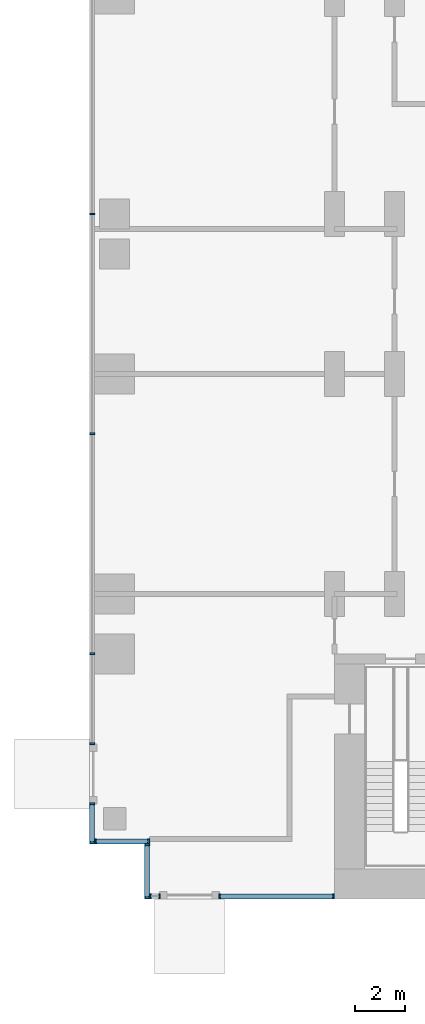
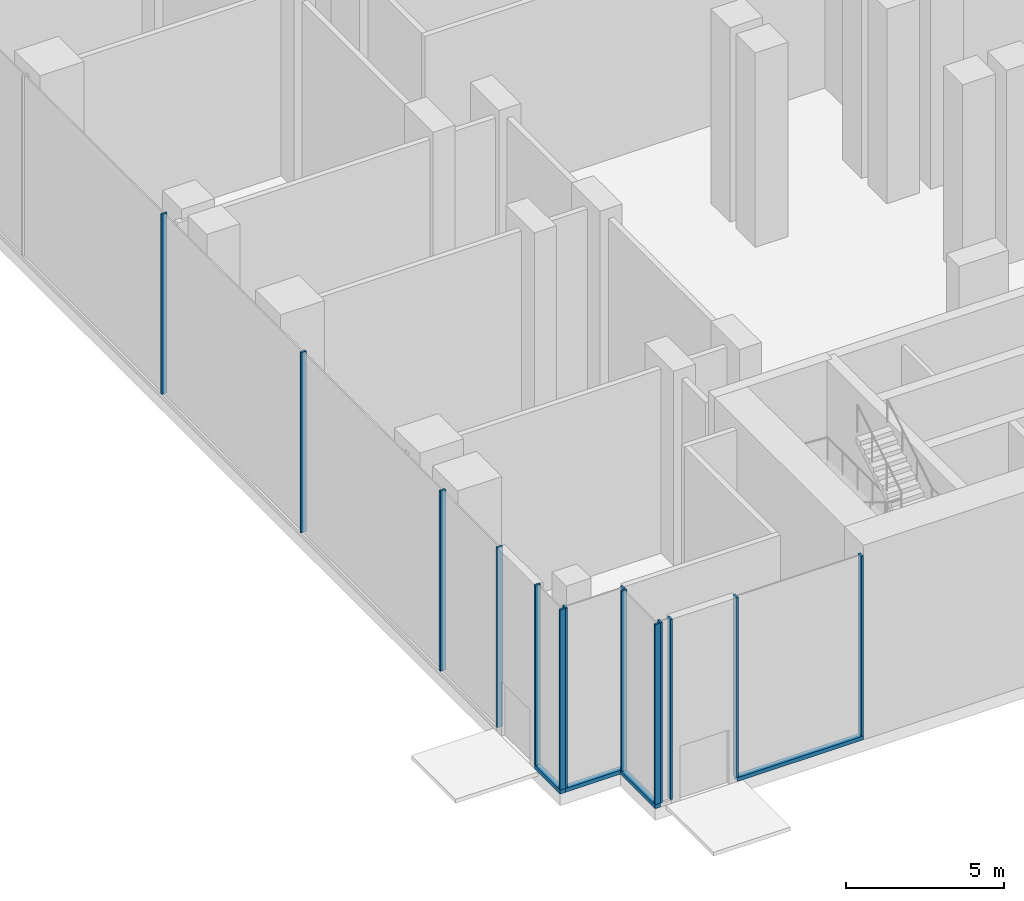
# One storey, part 8 of 41: 18 members, 6 elements without a shape of their own.
"""IFC4 building model written with IfcOpenShell, lengths in metres."""

from ifc_helpers import new_model, si_unit, direction, frame, origin, origin_2d, place, context, subcontext, project, spatial, rectangle, extrude, source, transform, mapped, material, material_profile, profile_set, type_object, element, aggregate, save


model = new_model("IFC4")

# Units and contexts
model_context = context("Model", 3, precision=1e-05, world=origin(), true_north=direction((0.0, 1.0)))
body_context = subcontext(model_context, "Body", "Model", "MODEL_VIEW")
ifc_project = project(units=[si_unit("LENGTHUNIT", "METRE"), si_unit("AREAUNIT", "SQUARE_METRE"), si_unit("VOLUMEUNIT", "CUBIC_METRE"), si_unit("PLANEANGLEUNIT", "RADIAN"), si_unit("MASSUNIT", "GRAM", prefix="KILO")], contexts=[model_context])

# Site, building, storey
site_placement = place(None, origin())
site = spatial("IfcSite", under=ifc_project, at=site_placement, CompositionType="ELEMENT")
building_placement = place(site_placement, origin())
building = spatial("IfcBuilding", under=site, at=building_placement, Name="Kemantara Hotel Tower", CompositionType="ELEMENT")
storey_placement = place(building_placement, origin())
storey = spatial("IfcBuildingStorey", under=building, at=storey_placement, Name="L00", CompositionType="ELEMENT", Elevation=0.0)

# Curtain wall, member
ifc_material_1 = material(Name="Laminated tinted insulated glass 44 mm", Category="glass")
curtain_wall_type = type_object("IfcCurtainWallType", Name="PODIUM GLASS CURTAIN WALL", PredefinedType="USERDEFINED", material=ifc_material_1)
curtain_wall_1_placement = place(storey_placement, origin())
curtain_wall_1 = element("IfcCurtainWall", 1, at=curtain_wall_1_placement, inside=storey, type_object=curtain_wall_type, Name="CW1 L00 POD-R01-2", ObjectType="PODIUM GLASS CURTAIN WALL", PredefinedType="USERDEFINED")
ifc_material_2 = material(Name="Aluminium 6063-T6 bronze anodised", Category="aluminium")
ifc_material_profile_1 = material_profile(ifc_material_2, rectangle(XDim=0.199951171875, YDim=0.14990234375, at=origin_2d()), Name="PODIUM GLASS CURTAIN WALL TRANSOM")
ifc_profile_set_1 = profile_set([ifc_material_profile_1], Name="Aluminium 6063-T6 bronze anodised")
member_type_1 = type_object("IfcMemberType", Name="PODIUM GLASS CURTAIN WALL TRANSOM", PredefinedType="USERDEFINED", material=ifc_profile_set_1)
member_1_placement = place(storey_placement, frame((5.199951171875, 0.10009765625, 0.074951171875), z_axis=(1.0, 0.0, 0.0), x_axis=(0.0, 1.0, 0.0)))
member_1 = element("IfcMember", 2, at=member_1_placement, type_object=member_type_1, Name="CW1 sill transom POD-R01-2", ObjectType="TRANSOM", PredefinedType="USERDEFINED", context=body_context, shape_type="SweptSolid", body=[
    extrude(rectangle(XDim=0.199951171875, YDim=0.14990234375, at=origin_2d()), origin(), (0.0, 0.0, 1.0), 4.60009765625),
])

curtain_wall_2_placement = place(storey_placement, origin())
curtain_wall_2 = element("IfcCurtainWall", 3, at=curtain_wall_2_placement, inside=storey, type_object=curtain_wall_type, Name="CW1 L00 POD-R16-3", ObjectType="PODIUM GLASS CURTAIN WALL", PredefinedType="USERDEFINED")
member_2_placement = place(storey_placement, frame((0.10009765625, 3.800048828125, 0.074951171875), z_axis=(0.0, -1.0, 0.0), x_axis=(1.0, 0.0, 0.0)))
member_2 = element("IfcMember", 4, at=member_2_placement, type_object=member_type_1, Name="CW1 sill transom POD-R16-3", ObjectType="TRANSOM", PredefinedType="USERDEFINED", context=body_context, shape_type="SweptSolid", body=[
    extrude(rectangle(XDim=0.199951171875, YDim=0.14990234375, at=origin_2d()), origin(), (0.0, 0.0, 1.0), 1.60009765625),
])

curtain_wall_3_placement = place(storey_placement, origin())
curtain_wall_3 = element("IfcCurtainWall", 5, at=curtain_wall_3_placement, inside=storey, type_object=curtain_wall_type, Name="CW1 L00 POD-R00-1", ObjectType="PODIUM GLASS CURTAIN WALL", PredefinedType="USERDEFINED")
member_3_placement = place(storey_placement, frame((2.300048828125, 2.199951171875, 0.074951171875), z_axis=(0.0, -1.0, 0.0), x_axis=(1.0, 0.0, 0.0)))
member_3 = element("IfcMember", 6, at=member_3_placement, type_object=member_type_1, Name="CW1 sill transom POD-R00-1", ObjectType="TRANSOM", PredefinedType="USERDEFINED", context=body_context, shape_type="SweptSolid", body=[
    extrude(rectangle(XDim=0.199951171875, YDim=0.14990234375, at=origin_2d()), origin(), (0.0, 0.0, 1.0), 2.199951171875),
])

curtain_wall_4_placement = place(storey_placement, origin())
curtain_wall_4 = element("IfcCurtainWall", 7, at=curtain_wall_4_placement, inside=storey, type_object=curtain_wall_type, Name="CW1 L00 POD-R17-1", ObjectType="PODIUM GLASS CURTAIN WALL", PredefinedType="USERDEFINED")
member_4_placement = place(storey_placement, frame((0.199951171875, 2.300048828125, 0.074951171875), z_axis=(1.0, 0.0, 0.0), x_axis=(0.0, 1.0, 0.0)))
member_4 = element("IfcMember", 8, at=member_4_placement, type_object=member_type_1, Name="CW1 sill transom POD-R17-1", ObjectType="TRANSOM", PredefinedType="USERDEFINED", context=body_context, shape_type="SweptSolid", body=[
    extrude(rectangle(XDim=0.199951171875, YDim=0.14990234375, at=origin_2d()), origin(), (0.0, 0.0, 1.0), 2.199951171875),
])

# Curtain wall, members
curtain_wall_5_placement = place(storey_placement, origin())
curtain_wall_5 = element("IfcCurtainWall", 9, at=curtain_wall_5_placement, inside=storey, type_object=curtain_wall_type, Name="CW1 L00 POD-R01-1", ObjectType="PODIUM GLASS CURTAIN WALL", PredefinedType="USERDEFINED")
ifc_material_profile_2 = material_profile(ifc_material_2, rectangle(XDim=0.199951171875, YDim=0.074951171875, at=origin_2d()), Name="PODIUM GLASS CURTAIN WALL MULLION")
ifc_profile_set_2 = profile_set([ifc_material_profile_2], Name="Aluminium 6063-T6 bronze anodised")
member_type_2 = type_object("IfcMemberType", Name="PODIUM GLASS CURTAIN WALL MULLION", PredefinedType="MULLION", material=ifc_profile_set_2)
shared_shape = source(origin(), body_context, "Body", "SweptSolid", [
    extrude(rectangle(XDim=0.199951171875, YDim=0.074951171875, at=origin_2d()), origin(), (0.0, 0.0, 1.0), 6.9501953125),
])
member_5_placement = place(storey_placement, frame((2.4375, 0.10009765625, 0.14990234375), z_axis=(0.0, 0.0, 1.0), x_axis=(0.0, 1.0, 0.0)))
member_5 = element("IfcMember", 10, at=member_5_placement, type_object=member_type_2, Name="CW1 mullion POD-R01-1.1", PredefinedType="MULLION", context=body_context, shape_type="MappedRepresentation", body=[
    mapped(shared_shape, transform((0.0, 0.0, 0.0))),
])
member_6_placement = place(storey_placement, frame((2.800048828125, 0.10009765625, 0.14990234375), z_axis=(0.0, 0.0, 1.0), x_axis=(0.0, 1.0, 0.0)))
member_6 = element("IfcMember", 11, at=member_6_placement, type_object=member_type_2, Name="CW1 mullion POD-R01-1.2", PredefinedType="MULLION", context=body_context, shape_type="MappedRepresentation", body=[
    mapped(shared_shape, transform((0.0, 0.0, 0.0))),
])
aggregate(curtain_wall_5, [member_5, member_6])

# Member
member_7_placement = place(storey_placement, frame((5.199951171875, 0.10009765625, 0.14990234375), z_axis=(0.0, 0.0, 1.0), x_axis=(0.0, 1.0, 0.0)))
member_7 = element("IfcMember", 12, at=member_7_placement, type_object=member_type_2, Name="CW1 mullion POD-R01-2.1", PredefinedType="MULLION", context=body_context, shape_type="MappedRepresentation", body=[
    mapped(shared_shape, transform((0.0, 0.0, 0.0))),
])

member_8_placement = place(storey_placement, frame((9.762451171875, 0.10009765625, 0.14990234375), z_axis=(0.0, 0.0, 1.0), x_axis=(0.0, 1.0, 0.0)))
member_8 = element("IfcMember", 13, at=member_8_placement, type_object=member_type_2, Name="CW1 mullion POD-R01-2.2", PredefinedType="MULLION", context=body_context, shape_type="MappedRepresentation", body=[
    mapped(shared_shape, transform((0.0, 0.0, 0.0))),
])

aggregate(curtain_wall_1, [member_1, member_7, member_8])

# Curtain wall, members
curtain_wall_6_placement = place(storey_placement, origin())
curtain_wall_6 = element("IfcCurtainWall", 14, at=curtain_wall_6_placement, inside=storey, type_object=curtain_wall_type, Name="CW1 L00 POD-R16-2", ObjectType="PODIUM GLASS CURTAIN WALL", PredefinedType="USERDEFINED")
member_9_placement = place(storey_placement, frame((0.10009765625, 27.39990234375, 0.14990234375), z_axis=(0.0, 0.0, 1.0), x_axis=(1.0, 0.0, 0.0)))
member_9 = element("IfcMember", 15, at=member_9_placement, type_object=member_type_2, Name="CW1 mullion POD-R16-2.5", PredefinedType="MULLION", context=body_context, shape_type="MappedRepresentation", body=[
    mapped(shared_shape, transform((0.0, 0.0, 0.0))),
])
member_10_placement = place(storey_placement, frame((0.10009765625, 18.60009765625, 0.14990234375), z_axis=(0.0, 0.0, 1.0), x_axis=(1.0, 0.0, 0.0)))
member_10 = element("IfcMember", 16, at=member_10_placement, type_object=member_type_2, Name="CW1 mullion POD-R16-2.6", PredefinedType="MULLION", context=body_context, shape_type="MappedRepresentation", body=[
    mapped(shared_shape, transform((0.0, 0.0, 0.0))),
])
member_11_placement = place(storey_placement, frame((0.10009765625, 9.800048828125, 0.14990234375), z_axis=(0.0, 0.0, 1.0), x_axis=(1.0, 0.0, 0.0)))
member_11 = element("IfcMember", 17, at=member_11_placement, type_object=member_type_2, Name="CW1 mullion POD-R16-2.7", PredefinedType="MULLION", context=body_context, shape_type="MappedRepresentation", body=[
    mapped(shared_shape, transform((0.0, 0.0, 0.0))),
])
member_12_placement = place(storey_placement, frame((0.10009765625, 6.199951171875, 0.14990234375), z_axis=(0.0, 0.0, 1.0), x_axis=(1.0, 0.0, 0.0)))
member_12 = element("IfcMember", 18, at=member_12_placement, type_object=member_type_2, Name="CW1 mullion POD-R16-2.8", PredefinedType="MULLION", context=body_context, shape_type="MappedRepresentation", body=[
    mapped(shared_shape, transform((0.0, 0.0, 0.0))),
])
aggregate(curtain_wall_6, [member_9, member_10, member_11, member_12])

# Member
member_13_placement = place(storey_placement, frame((0.10009765625, 3.800048828125, 0.14990234375), z_axis=(0.0, 0.0, 1.0), x_axis=(1.0, 0.0, 0.0)))
member_13 = element("IfcMember", 19, at=member_13_placement, type_object=member_type_2, Name="CW1 mullion POD-R16-3.1", PredefinedType="MULLION", context=body_context, shape_type="MappedRepresentation", body=[
    mapped(shared_shape, transform((0.0, 0.0, 0.0))),
])

member_14_placement = place(storey_placement, frame((0.10009765625, 2.237548828125, 0.14990234375), z_axis=(0.0, 0.0, 1.0), x_axis=(1.0, 0.0, 0.0)))
member_14 = element("IfcMember", 20, at=member_14_placement, type_object=member_type_2, Name="CW1 mullion POD-R16-3.2", PredefinedType="MULLION", context=body_context, shape_type="MappedRepresentation", body=[
    mapped(shared_shape, transform((0.0, 0.0, 0.0))),
])

aggregate(curtain_wall_2, [member_2, member_13, member_14])

member_15_placement = place(storey_placement, frame((2.300048828125, 2.16259765625, 0.14990234375), z_axis=(0.0, 0.0, 1.0), x_axis=(1.0, 0.0, 0.0)))
member_15 = element("IfcMember", 21, at=member_15_placement, type_object=member_type_2, Name="CW1 mullion POD-R00-1.1", PredefinedType="MULLION", context=body_context, shape_type="MappedRepresentation", body=[
    mapped(shared_shape, transform((0.0, 0.0, 0.0))),
])

member_16_placement = place(storey_placement, frame((2.300048828125, 0.03759765625, 0.14990234375), z_axis=(0.0, 0.0, 1.0), x_axis=(1.0, 0.0, 0.0)))
member_16 = element("IfcMember", 22, at=member_16_placement, type_object=member_type_2, Name="CW1 mullion POD-R00-1.2", PredefinedType="MULLION", context=body_context, shape_type="MappedRepresentation", body=[
    mapped(shared_shape, transform((0.0, 0.0, 0.0))),
])

aggregate(curtain_wall_3, [member_3, member_15, member_16])

member_17_placement = place(storey_placement, frame((0.237548828125, 2.300048828125, 0.14990234375), z_axis=(0.0, 0.0, 1.0), x_axis=(0.0, 1.0, 0.0)))
member_17 = element("IfcMember", 23, at=member_17_placement, type_object=member_type_2, Name="CW1 mullion POD-R17-1.1", PredefinedType="MULLION", context=body_context, shape_type="MappedRepresentation", body=[
    mapped(shared_shape, transform((0.0, 0.0, 0.0))),
])

member_18_placement = place(storey_placement, frame((2.362548828125, 2.300048828125, 0.14990234375), z_axis=(0.0, 0.0, 1.0), x_axis=(0.0, 1.0, 0.0)))
member_18 = element("IfcMember", 24, at=member_18_placement, type_object=member_type_2, Name="CW1 mullion POD-R17-1.2", PredefinedType="MULLION", context=body_context, shape_type="MappedRepresentation", body=[
    mapped(shared_shape, transform((0.0, 0.0, 0.0))),
])

aggregate(curtain_wall_4, [member_4, member_17, member_18])

save(model, "model.ifc")
